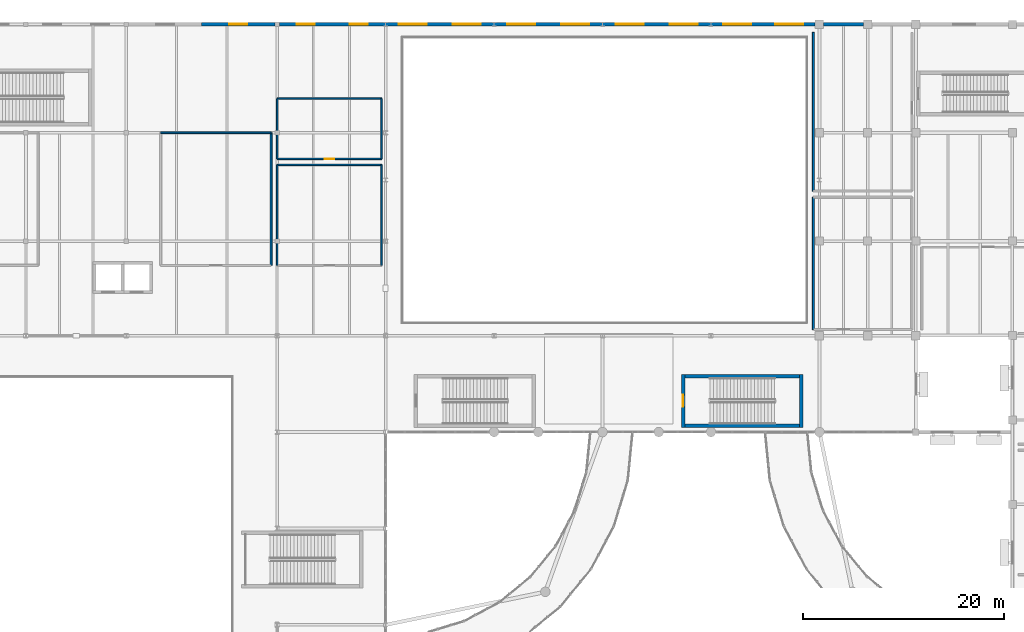
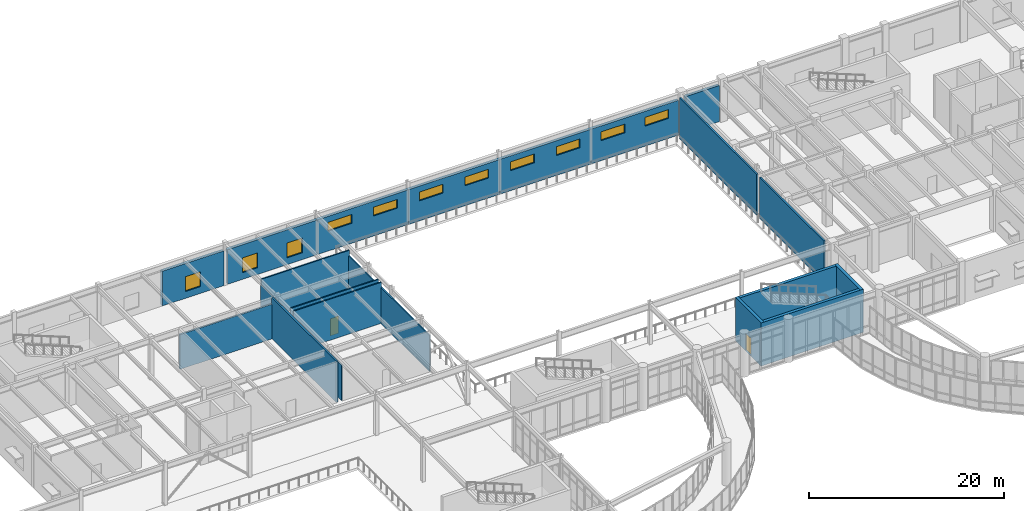
# One storey, part 51 of 72: 22 walls, 11 windows, 2 doors, 13 openings.
"""IFC4 building model written with IfcOpenShell, lengths in metres."""

from ifc_helpers import new_model, si_unit, direction, frame, frame_2d, origin, place, context, subcontext, project, spatial, rectangle, extrude, material, layer, layer_set, type_object, element, fill, save


model = new_model("IFC4")

# Units and contexts
model_context = context("Model", 3, precision=1e-05, world=origin(), true_north=direction((0.0, 1.0)))
body_context = subcontext(model_context, "Body", "Model", "MODEL_VIEW")
ifc_project = project(units=[si_unit("LENGTHUNIT", "METRE"), si_unit("AREAUNIT", "SQUARE_METRE"), si_unit("VOLUMEUNIT", "CUBIC_METRE"), si_unit("PLANEANGLEUNIT", "RADIAN"), si_unit("MASSUNIT", "GRAM", prefix="KILO")], contexts=[model_context])

# Site, building, storey
site_placement = place(None, origin())
site = spatial("IfcSite", under=ifc_project, at=site_placement, CompositionType="ELEMENT")
building_placement = place(site_placement, origin())
building = spatial("IfcBuilding", under=site, at=building_placement, Name="Veldera Park Congress Hotel", CompositionType="ELEMENT")
storey_placement = place(building_placement, frame((0.0, 0.0, 5.39990234375)))
storey = spatial("IfcBuildingStorey", under=building, at=storey_placement, Name="L01", CompositionType="ELEMENT", Elevation=5.39990234375)

# Wall, openings, windows
ifc_material_1 = material(Name="Architectural Sandstone Cladding (ASTM C616)", Category="masonry")
ifc_layer_1 = layer(ifc_material_1, 0.360107421875)
ifc_layer_set_1 = layer_set([ifc_layer_1], Name="Architectural Sandstone Cladding (ASTM C616)")
wall_type_1 = type_object("IfcWallType", Name="EW-STONE360", PredefinedType="STANDARD", material=ifc_layer_set_1)
wall_1_placement = place(storey_placement, frame((-1.609375, 58.0, 0.0), z_axis=(0.0, 0.0, 1.0), x_axis=(-1.0, 0.0, 0.0)))
wall_1 = element("IfcWall", 1, at=wall_1_placement, inside=storey, type_object=wall_type_1, Name="L01 Exterior Wall EW3-L01-0055", PredefinedType="STANDARD", context=body_context, shape_type="SweptSolid", body=[
    extrude(rectangle(XDim=10.567626953125, YDim=0.360107421875, at=frame_2d((5.28369140625, 0.0))), origin(), (0.0, 0.0, 1.0), 4.34619140625),
])
opening_1_placement = place(wall_1_placement, frame((1.741943359375, 0.0, 0.85009765625)))
opening_1 = element("IfcOpeningElement", 2, at=opening_1_placement, cuts=wall_1, Name="Opening WIN-1800", PredefinedType="OPENING", context=body_context, shape_type="SweptSolid", body=[
    extrude(rectangle(XDim=1.800048828125, YDim=1.85009765625, at=frame_2d((0.89990234375, 0.925048828125))), frame((0.0, 0.192138671875, 0.0), z_axis=(0.0, -1.0, 0.0), x_axis=(1.0, 0.0, 0.0)), (0.0, 0.0, 1.0), 0.384033203125),
])
opening_2_placement = place(wall_1_placement, frame((7.02587890625, 0.0, 0.85009765625)))
opening_2 = element("IfcOpeningElement", 3, at=opening_2_placement, cuts=wall_1, Name="Opening WIN-1800", PredefinedType="OPENING", context=body_context, shape_type="SweptSolid", body=[
    extrude(rectangle(XDim=1.800048828125, YDim=1.85009765625, at=frame_2d((0.89990234375, 0.925048828125))), frame((0.0, 0.192138671875, 0.0), z_axis=(0.0, -1.0, 0.0), x_axis=(1.0, 0.0, 0.0)), (0.0, 0.0, 1.0), 0.384033203125),
])
ifc_material_2 = material(Name="Low-E Triple Insulating Glass Unit (SHGC 0.22)", Category="glass")
window_type_1 = type_object("IfcWindowType", Name="WIN-1800", PartitioningType="SINGLE_PANEL", PredefinedType="WINDOW", material=ifc_material_2)
window_1_placement = place(opening_1_placement, origin())
window_1 = element("IfcWindow", 4, at=window_1_placement, inside=storey, type_object=window_type_1, Name="L01 Window WIN-1800 64", OverallHeight=1.85009765625, OverallWidth=1.800048828125, PartitioningType="SINGLE_PANEL", PredefinedType="WINDOW", context=body_context, shape_type="SweptSolid", body=[
    extrude(rectangle(XDim=1.800048828125, YDim=1.85009765625, at=frame_2d((0.89990234375, 0.925048828125))), frame((0.0, 0.030029296875, 0.0), z_axis=(0.0, -1.0, 0.0), x_axis=(1.0, 0.0, 0.0)), (0.0, 0.0, 1.0), 0.06005859375),
])
fill(opening_1, window_1)
window_2_placement = place(opening_2_placement, origin())
window_2 = element("IfcWindow", 5, at=window_2_placement, inside=storey, type_object=window_type_1, Name="L01 Window WIN-1800 65", OverallHeight=1.85009765625, OverallWidth=1.800048828125, PartitioningType="SINGLE_PANEL", PredefinedType="WINDOW", context=body_context, shape_type="SweptSolid", body=[
    extrude(rectangle(XDim=1.800048828125, YDim=1.85009765625, at=frame_2d((0.89990234375, 0.925048828125))), frame((0.0, 0.030029296875, 0.0), z_axis=(0.0, -1.0, 0.0), x_axis=(1.0, 0.0, 0.0)), (0.0, 0.0, 1.0), 0.06005859375),
])
fill(opening_2, window_2)

# Wall, opening, window
wall_2_placement = place(storey_placement, frame((-12.623046875, 58.0, 0.0), z_axis=(0.0, 0.0, 1.0), x_axis=(-1.0, 0.0, 0.0)))
wall_2 = element("IfcWall", 6, at=wall_2_placement, inside=storey, type_object=wall_type_1, Name="L01 Exterior Wall EW3-L01-0056", PredefinedType="STANDARD", context=body_context, shape_type="SweptSolid", body=[
    extrude(rectangle(XDim=7.279052734375, YDim=0.360107421875, at=frame_2d((3.6396484375, 0.0))), origin(), (0.0, 0.0, 1.0), 4.34619140625),
])
opening_3_placement = place(wall_2_placement, frame((2.739501953125, 0.0, 0.85009765625)))
opening_3 = element("IfcOpeningElement", 7, at=opening_3_placement, cuts=wall_2, Name="Opening WIN-1800", PredefinedType="OPENING", context=body_context, shape_type="SweptSolid", body=[
    extrude(rectangle(XDim=1.800048828125, YDim=1.85009765625, at=frame_2d((0.89990234375, 0.925048828125))), frame((0.0, 0.192138671875, 0.0), z_axis=(0.0, -1.0, 0.0), x_axis=(1.0, 0.0, 0.0)), (0.0, 0.0, 1.0), 0.384033203125),
])
window_3_placement = place(opening_3_placement, origin())
window_3 = element("IfcWindow", 8, at=window_3_placement, inside=storey, type_object=window_type_1, Name="L01 Window WIN-1800 66", OverallHeight=1.85009765625, OverallWidth=1.800048828125, PartitioningType="SINGLE_PANEL", PredefinedType="WINDOW", context=body_context, shape_type="SweptSolid", body=[
    extrude(rectangle(XDim=1.800048828125, YDim=1.85009765625, at=frame_2d((0.89990234375, 0.925048828125))), frame((0.0, 0.030029296875, 0.0), z_axis=(0.0, -1.0, 0.0), x_axis=(1.0, 0.0, 0.0)), (0.0, 0.0, 1.0), 0.06005859375),
])
fill(opening_3, window_3)

# Wall
wall_3_placement = place(storey_placement, frame((45.97705078125, 58.0, 0.0), z_axis=(0.0, 0.0, 1.0), x_axis=(-1.0, 0.0, 0.0)))
element("IfcWall", 9, at=wall_3_placement, inside=storey, type_object=wall_type_1, Name="L01 Exterior Wall EW3-L01-0061", PredefinedType="STANDARD", context=body_context, shape_type="SweptSolid", body=[
    extrude(rectangle(XDim=3.9541015625, YDim=0.360107421875, at=frame_2d((1.97705078125, 0.0))), origin(), (0.0, 0.0, 1.0), 4.51318359375),
])

# Wall, openings, windows
wall_4_placement = place(storey_placement, frame((41.177001953125, 58.0, 0.0), z_axis=(0.0, 0.0, 1.0), x_axis=(-1.0, 0.0, 0.0)))
wall_4 = element("IfcWall", 10, at=wall_4_placement, inside=storey, type_object=wall_type_1, Name="L01 Exterior Wall EW3-L01-0062", PredefinedType="STANDARD", context=body_context, shape_type="SweptSolid", body=[
    extrude(rectangle(XDim=10.36767578125, YDim=0.360107421875, at=frame_2d((5.183837890625, 0.0))), origin(), (0.0, 0.0, 1.0), 4.34619140625),
])
opening_4_placement = place(wall_4_placement, frame((1.19189453125, 0.0, 2.5)))
opening_4 = element("IfcOpeningElement", 11, at=opening_4_placement, cuts=wall_4, Name="Opening WIN-CLR", PredefinedType="OPENING", context=body_context, shape_type="SweptSolid", body=[
    extrude(rectangle(XDim=2.800048828125, YDim=1.10009765625, at=frame_2d((1.39990234375, 0.550048828125))), frame((0.0, 0.192138671875, 0.0), z_axis=(0.0, -1.0, 0.0), x_axis=(1.0, 0.0, 0.0)), (0.0, 0.0, 1.0), 0.384033203125),
])
opening_5_placement = place(wall_4_placement, frame((6.375732421875, 0.0, 2.5)))
opening_5 = element("IfcOpeningElement", 12, at=opening_5_placement, cuts=wall_4, Name="Opening WIN-CLR", PredefinedType="OPENING", context=body_context, shape_type="SweptSolid", body=[
    extrude(rectangle(XDim=2.800048828125, YDim=1.10009765625, at=frame_2d((1.39990234375, 0.550048828125))), frame((0.0, 0.192138671875, 0.0), z_axis=(0.0, -1.0, 0.0), x_axis=(1.0, 0.0, 0.0)), (0.0, 0.0, 1.0), 0.384033203125),
])
window_type_2 = type_object("IfcWindowType", Name="WIN-CLR", PartitioningType="SINGLE_PANEL", PredefinedType="LIGHTDOME", material=ifc_material_2)
window_4_placement = place(opening_4_placement, origin())
window_4 = element("IfcWindow", 13, at=window_4_placement, inside=storey, type_object=window_type_2, Name="L01 Window WIN-CLR 72", OverallHeight=1.10009765625, OverallWidth=2.800048828125, PartitioningType="SINGLE_PANEL", PredefinedType="LIGHTDOME", context=body_context, shape_type="SweptSolid", body=[
    extrude(rectangle(XDim=2.800048828125, YDim=1.10009765625, at=frame_2d((1.39990234375, 0.550048828125))), frame((0.0, 0.030029296875, 0.0), z_axis=(0.0, -1.0, 0.0), x_axis=(1.0, 0.0, 0.0)), (0.0, 0.0, 1.0), 0.06005859375),
])
fill(opening_4, window_4)
window_5_placement = place(opening_5_placement, origin())
window_5 = element("IfcWindow", 14, at=window_5_placement, inside=storey, type_object=window_type_2, Name="L01 Window WIN-CLR 73", OverallHeight=1.10009765625, OverallWidth=2.800048828125, PartitioningType="SINGLE_PANEL", PredefinedType="LIGHTDOME", context=body_context, shape_type="SweptSolid", body=[
    extrude(rectangle(XDim=2.800048828125, YDim=1.10009765625, at=frame_2d((1.39990234375, 0.550048828125))), frame((0.0, 0.030029296875, 0.0), z_axis=(0.0, -1.0, 0.0), x_axis=(1.0, 0.0, 0.0)), (0.0, 0.0, 1.0), 0.06005859375),
])
fill(opening_5, window_5)

wall_5_placement = place(storey_placement, frame((30.790771484375, 58.0, 0.0), z_axis=(0.0, 0.0, 1.0), x_axis=(-1.0, 0.0, 0.0)))
wall_5 = element("IfcWall", 15, at=wall_5_placement, inside=storey, type_object=wall_type_1, Name="L01 Exterior Wall EW3-L01-0063", PredefinedType="STANDARD", context=body_context, shape_type="SweptSolid", body=[
    extrude(rectangle(XDim=10.781494140625, YDim=0.360107421875, at=frame_2d((5.390625, 0.0))), origin(), (0.0, 0.0, 1.0), 4.34619140625),
])
opening_6_placement = place(wall_5_placement, frame((1.29541015625, 0.0, 2.5)))
opening_6 = element("IfcOpeningElement", 16, at=opening_6_placement, cuts=wall_5, Name="Opening WIN-CLR", PredefinedType="OPENING", context=body_context, shape_type="SweptSolid", body=[
    extrude(rectangle(XDim=2.800048828125, YDim=1.10009765625, at=frame_2d((1.39990234375, 0.550048828125))), frame((0.0, 0.192138671875, 0.0), z_axis=(0.0, -1.0, 0.0), x_axis=(1.0, 0.0, 0.0)), (0.0, 0.0, 1.0), 0.384033203125),
])
opening_7_placement = place(wall_5_placement, frame((6.68603515625, 0.0, 2.5)))
opening_7 = element("IfcOpeningElement", 17, at=opening_7_placement, cuts=wall_5, Name="Opening WIN-CLR", PredefinedType="OPENING", context=body_context, shape_type="SweptSolid", body=[
    extrude(rectangle(XDim=2.800048828125, YDim=1.10009765625, at=frame_2d((1.39990234375, 0.550048828125))), frame((0.0, 0.192138671875, 0.0), z_axis=(0.0, -1.0, 0.0), x_axis=(1.0, 0.0, 0.0)), (0.0, 0.0, 1.0), 0.384033203125),
])
window_6_placement = place(opening_6_placement, origin())
window_6 = element("IfcWindow", 18, at=window_6_placement, inside=storey, type_object=window_type_2, Name="L01 Window WIN-CLR 74", OverallHeight=1.10009765625, OverallWidth=2.800048828125, PartitioningType="SINGLE_PANEL", PredefinedType="LIGHTDOME", context=body_context, shape_type="SweptSolid", body=[
    extrude(rectangle(XDim=2.800048828125, YDim=1.10009765625, at=frame_2d((1.39990234375, 0.550048828125))), frame((0.0, 0.030029296875, 0.0), z_axis=(0.0, -1.0, 0.0), x_axis=(1.0, 0.0, 0.0)), (0.0, 0.0, 1.0), 0.06005859375),
])
fill(opening_6, window_6)
window_7_placement = place(opening_7_placement, origin())
window_7 = element("IfcWindow", 19, at=window_7_placement, inside=storey, type_object=window_type_2, Name="L01 Window WIN-CLR 75", OverallHeight=1.10009765625, OverallWidth=2.800048828125, PartitioningType="SINGLE_PANEL", PredefinedType="LIGHTDOME", context=body_context, shape_type="SweptSolid", body=[
    extrude(rectangle(XDim=2.800048828125, YDim=1.10009765625, at=frame_2d((1.39990234375, 0.550048828125))), frame((0.0, 0.030029296875, 0.0), z_axis=(0.0, -1.0, 0.0), x_axis=(1.0, 0.0, 0.0)), (0.0, 0.0, 1.0), 0.06005859375),
])
fill(opening_7, window_7)

wall_6_placement = place(storey_placement, frame((19.99072265625, 58.0, 0.0), z_axis=(0.0, 0.0, 1.0), x_axis=(-1.0, 0.0, 0.0)))
wall_6 = element("IfcWall", 20, at=wall_6_placement, inside=storey, type_object=wall_type_1, Name="L01 Exterior Wall EW3-L01-0064", PredefinedType="STANDARD", context=body_context, shape_type="SweptSolid", body=[
    extrude(rectangle(XDim=10.781494140625, YDim=0.360107421875, at=frame_2d((5.390625, 0.0))), origin(), (0.0, 0.0, 1.0), 4.34619140625),
])
opening_8_placement = place(wall_6_placement, frame((1.29541015625, 0.0, 2.5)))
opening_8 = element("IfcOpeningElement", 21, at=opening_8_placement, cuts=wall_6, Name="Opening WIN-CLR", PredefinedType="OPENING", context=body_context, shape_type="SweptSolid", body=[
    extrude(rectangle(XDim=2.800048828125, YDim=1.10009765625, at=frame_2d((1.39990234375, 0.550048828125))), frame((0.0, 0.192138671875, 0.0), z_axis=(0.0, -1.0, 0.0), x_axis=(1.0, 0.0, 0.0)), (0.0, 0.0, 1.0), 0.384033203125),
])
opening_9_placement = place(wall_6_placement, frame((6.68603515625, 0.0, 2.5)))
opening_9 = element("IfcOpeningElement", 22, at=opening_9_placement, cuts=wall_6, Name="Opening WIN-CLR", PredefinedType="OPENING", context=body_context, shape_type="SweptSolid", body=[
    extrude(rectangle(XDim=2.800048828125, YDim=1.10009765625, at=frame_2d((1.39990234375, 0.550048828125))), frame((0.0, 0.192138671875, 0.0), z_axis=(0.0, -1.0, 0.0), x_axis=(1.0, 0.0, 0.0)), (0.0, 0.0, 1.0), 0.384033203125),
])
window_8_placement = place(opening_8_placement, origin())
window_8 = element("IfcWindow", 23, at=window_8_placement, inside=storey, type_object=window_type_2, Name="L01 Window WIN-CLR 76", OverallHeight=1.10009765625, OverallWidth=2.800048828125, PartitioningType="SINGLE_PANEL", PredefinedType="LIGHTDOME", context=body_context, shape_type="SweptSolid", body=[
    extrude(rectangle(XDim=2.800048828125, YDim=1.10009765625, at=frame_2d((1.39990234375, 0.550048828125))), frame((0.0, 0.030029296875, 0.0), z_axis=(0.0, -1.0, 0.0), x_axis=(1.0, 0.0, 0.0)), (0.0, 0.0, 1.0), 0.06005859375),
])
fill(opening_8, window_8)
window_9_placement = place(opening_9_placement, origin())
window_9 = element("IfcWindow", 24, at=window_9_placement, inside=storey, type_object=window_type_2, Name="L01 Window WIN-CLR 77", OverallHeight=1.10009765625, OverallWidth=2.800048828125, PartitioningType="SINGLE_PANEL", PredefinedType="LIGHTDOME", context=body_context, shape_type="SweptSolid", body=[
    extrude(rectangle(XDim=2.800048828125, YDim=1.10009765625, at=frame_2d((1.39990234375, 0.550048828125))), frame((0.0, 0.030029296875, 0.0), z_axis=(0.0, -1.0, 0.0), x_axis=(1.0, 0.0, 0.0)), (0.0, 0.0, 1.0), 0.06005859375),
])
fill(opening_9, window_9)

wall_7_placement = place(storey_placement, frame((9.190673828125, 58.0, 0.0), z_axis=(0.0, 0.0, 1.0), x_axis=(-1.0, 0.0, 0.0)))
wall_7 = element("IfcWall", 25, at=wall_7_placement, inside=storey, type_object=wall_type_1, Name="L01 Exterior Wall EW3-L01-0065", PredefinedType="STANDARD", context=body_context, shape_type="SweptSolid", body=[
    extrude(rectangle(XDim=10.781494140625, YDim=0.360107421875, at=frame_2d((5.390625, 0.0))), origin(), (0.0, 0.0, 1.0), 4.34619140625),
])
opening_10_placement = place(wall_7_placement, frame((1.29541015625, 0.0, 2.5)))
opening_10 = element("IfcOpeningElement", 26, at=opening_10_placement, cuts=wall_7, Name="Opening WIN-CLR", PredefinedType="OPENING", context=body_context, shape_type="SweptSolid", body=[
    extrude(rectangle(XDim=2.800048828125, YDim=1.10009765625, at=frame_2d((1.39990234375, 0.550048828125))), frame((0.0, 0.192138671875, 0.0), z_axis=(0.0, -1.0, 0.0), x_axis=(1.0, 0.0, 0.0)), (0.0, 0.0, 1.0), 0.384033203125),
])
opening_11_placement = place(wall_7_placement, frame((6.68603515625, 0.0, 2.5)))
opening_11 = element("IfcOpeningElement", 27, at=opening_11_placement, cuts=wall_7, Name="Opening WIN-CLR", PredefinedType="OPENING", context=body_context, shape_type="SweptSolid", body=[
    extrude(rectangle(XDim=2.800048828125, YDim=1.10009765625, at=frame_2d((1.39990234375, 0.550048828125))), frame((0.0, 0.192138671875, 0.0), z_axis=(0.0, -1.0, 0.0), x_axis=(1.0, 0.0, 0.0)), (0.0, 0.0, 1.0), 0.384033203125),
])
window_10_placement = place(opening_10_placement, origin())
window_10 = element("IfcWindow", 28, at=window_10_placement, inside=storey, type_object=window_type_2, Name="L01 Window WIN-CLR 78", OverallHeight=1.10009765625, OverallWidth=2.800048828125, PartitioningType="SINGLE_PANEL", PredefinedType="LIGHTDOME", context=body_context, shape_type="SweptSolid", body=[
    extrude(rectangle(XDim=2.800048828125, YDim=1.10009765625, at=frame_2d((1.39990234375, 0.550048828125))), frame((0.0, 0.030029296875, 0.0), z_axis=(0.0, -1.0, 0.0), x_axis=(1.0, 0.0, 0.0)), (0.0, 0.0, 1.0), 0.06005859375),
])
fill(opening_10, window_10)
window_11_placement = place(opening_11_placement, origin())
window_11 = element("IfcWindow", 29, at=window_11_placement, inside=storey, type_object=window_type_2, Name="L01 Window WIN-CLR 79", OverallHeight=1.10009765625, OverallWidth=2.800048828125, PartitioningType="SINGLE_PANEL", PredefinedType="LIGHTDOME", context=body_context, shape_type="SweptSolid", body=[
    extrude(rectangle(XDim=2.800048828125, YDim=1.10009765625, at=frame_2d((1.39990234375, 0.550048828125))), frame((0.0, 0.030029296875, 0.0), z_axis=(0.0, -1.0, 0.0), x_axis=(1.0, 0.0, 0.0)), (0.0, 0.0, 1.0), 0.06005859375),
])
fill(opening_11, window_11)

# Walls
ifc_material_3 = material(Name="Fire-Rated Gypsum Board on Cold-Formed Steel Studs", Category="steel")
ifc_layer_2 = layer(ifc_material_3, 0.195068359375)
ifc_layer_set_2 = layer_set([ifc_layer_2], Name="Fire-Rated Gypsum Board on Cold-Formed Steel Studs")
wall_type_2 = type_object("IfcWallType", Name="IW-CORR195", PredefinedType="PARTITIONING", material=ifc_layer_set_2)
wall_8_placement = place(storey_placement, frame((-13.0, 34.0, 0.0), z_axis=(0.0, 0.0, 1.0), x_axis=(0.0, 1.0, 0.0)))
element("IfcWall", 30, at=wall_8_placement, inside=storey, type_object=wall_type_2, Name="L01 Partition Wall IW3-L01-00102", PredefinedType="PARTITIONING", context=body_context, shape_type="SweptSolid", body=[
    extrude(rectangle(XDim=13.199951171875, YDim=0.195068359375, at=frame_2d((6.60009765625, 0.0))), origin(), (0.0, 0.0, 1.0), 5.130126953125),
])
wall_9_placement = place(storey_placement, frame((-13.0, 47.199951171875, 0.0), z_axis=(0.0, 0.0, 1.0), x_axis=(-1.0, 0.0, 0.0)))
element("IfcWall", 31, at=wall_9_placement, inside=storey, type_object=wall_type_2, Name="L01 Partition Wall IW3-L01-00103", PredefinedType="PARTITIONING", context=body_context, shape_type="SweptSolid", body=[
    extrude(rectangle(XDim=11.0, YDim=0.195068359375, at=frame_2d((5.5, 0.0))), origin(), (0.0, 0.0, 1.0), 4.34619140625),
])
wall_10_placement = place(storey_placement, frame((41.0, 40.800048828125, 0.0), z_axis=(0.0, 0.0, 1.0), x_axis=(0.0, -1.0, 0.0)))
element("IfcWall", 32, at=wall_10_placement, inside=storey, type_object=wall_type_2, Name="L01 Partition Wall IW3-L01-00116", PredefinedType="PARTITIONING", context=body_context, shape_type="SweptSolid", body=[
    extrude(rectangle(XDim=13.199951171875, YDim=0.195068359375, at=frame_2d((6.60009765625, 0.0))), origin(), (0.0, 0.0, 1.0), 5.130126953125),
])
wall_11_placement = place(storey_placement, frame((41.0, 57.199951171875, 0.0), z_axis=(0.0, 0.0, 1.0), x_axis=(0.0, -1.0, 0.0)))
element("IfcWall", 33, at=wall_11_placement, inside=storey, type_object=wall_type_2, Name="L01 Partition Wall IW3-L01-00119", PredefinedType="PARTITIONING", context=body_context, shape_type="SweptSolid", body=[
    extrude(rectangle(XDim=15.800048828125, YDim=0.195068359375, at=frame_2d((7.89990234375, 0.0))), origin(), (0.0, 0.0, 1.0), 5.130126953125),
])
ifc_layer_3 = layer(ifc_material_3, 0.14990234375)
ifc_layer_set_3 = layer_set([ifc_layer_3], Name="Fire-Rated Gypsum Board on Cold-Formed Steel Studs")
wall_type_3 = type_object("IfcWallType", Name="IW-PLMB150", PredefinedType="PLUMBINGWALL", material=ifc_layer_set_3)
wall_12_placement = place(storey_placement, frame((-2.0, 34.0, 0.0), z_axis=(0.0, 0.0, 1.0), x_axis=(0.0, 1.0, 0.0)))
element("IfcWall", 34, at=wall_12_placement, inside=storey, type_object=wall_type_3, Name="L01 Partition Wall IW3-L01-00106", PredefinedType="PLUMBINGWALL", context=body_context, shape_type="SweptSolid", body=[
    extrude(rectangle(XDim=10.0, YDim=0.14990234375, at=frame_2d((5.0, 0.0))), origin(), (0.0, 0.0, 1.0), 4.508056640625),
])
wall_13_placement = place(storey_placement, frame((-2.0, 44.0, 0.0), z_axis=(0.0, 0.0, 1.0), x_axis=(-1.0, 0.0, 0.0)))
element("IfcWall", 35, at=wall_13_placement, inside=storey, type_object=wall_type_3, Name="L01 Partition Wall IW3-L01-00107", PredefinedType="PLUMBINGWALL", context=body_context, shape_type="SweptSolid", body=[
    extrude(rectangle(XDim=10.39990234375, YDim=0.14990234375, at=frame_2d((5.199951171875, 0.0))), origin(), (0.0, 0.0, 1.0), 5.130126953125),
])
wall_14_placement = place(storey_placement, frame((-12.39990234375, 44.0, 0.0), z_axis=(0.0, 0.0, 1.0), x_axis=(0.0, -1.0, 0.0)))
element("IfcWall", 36, at=wall_14_placement, inside=storey, type_object=wall_type_3, Name="L01 Partition Wall IW3-L01-00108", PredefinedType="PLUMBINGWALL", context=body_context, shape_type="SweptSolid", body=[
    extrude(rectangle(XDim=10.0, YDim=0.14990234375, at=frame_2d((5.0, 0.0))), origin(), (0.0, 0.0, 1.0), 4.43212890625),
])

# Wall, opening, door
wall_15_placement = place(storey_placement, frame((-12.39990234375, 44.60009765625, 0.0), z_axis=(0.0, 0.0, 1.0), x_axis=(1.0, 0.0, 0.0)))
wall_15 = element("IfcWall", 37, at=wall_15_placement, inside=storey, type_object=wall_type_3, Name="L01 Partition Wall IW3-L01-00109", PredefinedType="PLUMBINGWALL", context=body_context, shape_type="SweptSolid", body=[
    extrude(rectangle(XDim=10.39990234375, YDim=0.14990234375, at=frame_2d((5.199951171875, 0.0))), origin(), (0.0, 0.0, 1.0), 5.130126953125),
])
opening_12_placement = place(wall_15_placement, frame((4.72509765625, 0.0, 0.0)))
opening_12 = element("IfcOpeningElement", 38, at=opening_12_placement, cuts=wall_15, Name="Opening ID-WC095", PredefinedType="OPENING", context=body_context, shape_type="SweptSolid", body=[
    extrude(rectangle(XDim=0.949951171875, YDim=2.14990234375, at=frame_2d((0.47509765625, 1.074951171875))), frame((0.0, 0.0869140625, 0.0), z_axis=(0.0, -1.0, 0.0), x_axis=(1.0, 0.0, 0.0)), (0.0, 0.0, 1.0), 0.173828125),
])
ifc_material_4 = material(Name="Solid Core White Oak Architectural Door", Category="wood")
door_type_1 = type_object("IfcDoorType", Name="ID-WC095", OperationType="NOTDEFINED", PredefinedType="DOOR", material=ifc_material_4)
door_1_placement = place(opening_12_placement, origin())
door_1 = element("IfcDoor", 39, at=door_1_placement, inside=storey, type_object=door_type_1, Name="L01 Mezzanine Accessible WC Door ID3-L01-0039 (DR3-ID3-L01-0039)", OperationType="SINGLE_SWING_RIGHT", OverallHeight=2.14990234375, OverallWidth=0.949951171875, PredefinedType="DOOR", context=body_context, shape_type="SweptSolid", body=[
    extrude(rectangle(XDim=0.949951171875, YDim=2.14990234375, at=frame_2d((0.47509765625, 1.074951171875))), frame((0.0, 0.02490234375, 0.0), z_axis=(0.0, -1.0, 0.0), x_axis=(1.0, 0.0, 0.0)), (0.0, 0.0, 1.0), 0.050048828125),
])
fill(opening_12, door_1)

# Walls
wall_16_placement = place(storey_placement, frame((-2.0, 44.60009765625, 0.0), z_axis=(0.0, 0.0, 1.0), x_axis=(0.0, 1.0, 0.0)))
element("IfcWall", 40, at=wall_16_placement, inside=storey, type_object=wall_type_3, Name="L01 Partition Wall IW3-L01-00110", PredefinedType="PLUMBINGWALL", context=body_context, shape_type="SweptSolid", body=[
    extrude(rectangle(XDim=6.0, YDim=0.14990234375, at=frame_2d((3.0, 0.0))), origin(), (0.0, 0.0, 1.0), 4.43212890625),
])
wall_17_placement = place(storey_placement, frame((-2.0, 50.60009765625, 0.0), z_axis=(0.0, 0.0, 1.0), x_axis=(-1.0, 0.0, 0.0)))
element("IfcWall", 41, at=wall_17_placement, inside=storey, type_object=wall_type_3, Name="L01 Partition Wall IW3-L01-00111", PredefinedType="PLUMBINGWALL", context=body_context, shape_type="SweptSolid", body=[
    extrude(rectangle(XDim=10.39990234375, YDim=0.14990234375, at=frame_2d((5.199951171875, 0.0))), origin(), (0.0, 0.0, 1.0), 5.130126953125),
])
wall_18_placement = place(storey_placement, frame((-12.39990234375, 50.60009765625, 0.0), z_axis=(0.0, 0.0, 1.0), x_axis=(0.0, -1.0, 0.0)))
element("IfcWall", 42, at=wall_18_placement, inside=storey, type_object=wall_type_3, Name="L01 Partition Wall IW3-L01-00112", PredefinedType="PLUMBINGWALL", context=body_context, shape_type="SweptSolid", body=[
    extrude(rectangle(XDim=6.0, YDim=0.14990234375, at=frame_2d((3.0, 0.0))), origin(), (0.0, 0.0, 1.0), 4.43212890625),
])
ifc_material_5 = material(Name="Concrete f'c 40 MPa (5,800 psi)", Category="concrete")
ifc_layer_4 = layer(ifc_material_5, 0.35009765625)
ifc_layer_set_4 = layer_set([ifc_layer_4], Name="Concrete f'c 40 MPa (5,800 psi)")
wall_type_4 = type_object("IfcWallType", Name="SW-CORE350", PredefinedType="SHEAR", material=ifc_layer_set_4)
wall_19_placement = place(storey_placement, frame((27.85009765625, 18.02490234375, 0.0), z_axis=(0.0, 0.0, 1.0), x_axis=(1.0, 0.0, 0.0)))
element("IfcWall", 43, at=wall_19_placement, inside=storey, type_object=wall_type_4, Name="Stair ST7 Core Wall L01-S", PredefinedType="SHEAR", context=body_context, shape_type="SweptSolid", body=[
    extrude(rectangle(XDim=12.099853515625, YDim=0.35009765625, at=frame_2d((6.0498046875, 0.0))), origin(), (0.0, 0.0, 1.0), 5.400146484375),
])
wall_20_placement = place(storey_placement, frame((39.77490234375, 17.85009765625, 0.0), z_axis=(0.0, 0.0, 1.0), x_axis=(0.0, 1.0, 0.0)))
element("IfcWall", 44, at=wall_20_placement, inside=storey, type_object=wall_type_4, Name="Stair ST7 Core Wall L01-E", PredefinedType="SHEAR", context=body_context, shape_type="SweptSolid", body=[
    extrude(rectangle(XDim=5.2998046875, YDim=0.35009765625, at=frame_2d((2.64990234375, 0.0))), origin(), (0.0, 0.0, 1.0), 5.400146484375),
])
wall_21_placement = place(storey_placement, frame((39.949951171875, 22.97509765625, 0.0), z_axis=(0.0, 0.0, 1.0), x_axis=(-1.0, 0.0, 0.0)))
element("IfcWall", 45, at=wall_21_placement, inside=storey, type_object=wall_type_4, Name="Stair ST7 Core Wall L01-N", PredefinedType="SHEAR", context=body_context, shape_type="SweptSolid", body=[
    extrude(rectangle(XDim=12.099853515625, YDim=0.35009765625, at=frame_2d((6.0498046875, 0.0))), origin(), (0.0, 0.0, 1.0), 5.400146484375),
])

# Wall, opening, door
wall_22_placement = place(storey_placement, frame((28.02490234375, 23.14990234375, 0.0), z_axis=(0.0, 0.0, 1.0), x_axis=(0.0, -1.0, 0.0)))
wall_22 = element("IfcWall", 46, at=wall_22_placement, inside=storey, type_object=wall_type_4, Name="Stair ST7 Core Wall L01-W", PredefinedType="SHEAR", context=body_context, shape_type="SweptSolid", body=[
    extrude(rectangle(XDim=5.2998046875, YDim=0.35009765625, at=frame_2d((2.64990234375, 0.0))), origin(), (0.0, 0.0, 1.0), 5.400146484375),
])
opening_13_placement = place(wall_22_placement, frame((2.050048828125, 0.0, 0.0)))
opening_13 = element("IfcOpeningElement", 47, at=opening_13_placement, cuts=wall_22, Name="Opening ID-STAIR120", PredefinedType="OPENING", context=body_context, shape_type="SweptSolid", body=[
    extrude(rectangle(XDim=1.199951171875, YDim=2.199951171875, at=frame_2d((0.60009765625, 1.10009765625))), frame((0.0, 0.18701171875, 0.0), z_axis=(0.0, -1.0, 0.0), x_axis=(1.0, 0.0, 0.0)), (0.0, 0.0, 1.0), 0.3740234375),
])
ifc_material_6 = material(Name="Hollow Metal Fire-Rated Steel Door", Category="steel")
door_type_2 = type_object("IfcDoorType", Name="ID-STAIR120", OperationType="NOTDEFINED", PredefinedType="DOOR", material=ifc_material_6)
door_2_placement = place(opening_13_placement, origin())
door_2 = element("IfcDoor", 48, at=door_2_placement, inside=storey, type_object=door_type_2, Name="L01 Stair ST7 Fire Door (DR3-SD-ST7-L01)", OperationType="SINGLE_SWING_RIGHT", OverallHeight=2.199951171875, OverallWidth=1.199951171875, PredefinedType="DOOR", context=body_context, shape_type="SweptSolid", body=[
    extrude(rectangle(XDim=1.199951171875, YDim=2.199951171875, at=frame_2d((0.60009765625, 1.10009765625))), frame((0.0, 0.02490234375, 0.0), z_axis=(0.0, -1.0, 0.0), x_axis=(1.0, 0.0, 0.0)), (0.0, 0.0, 1.0), 0.050048828125),
])
fill(opening_13, door_2)

save(model, "model.ifc")
